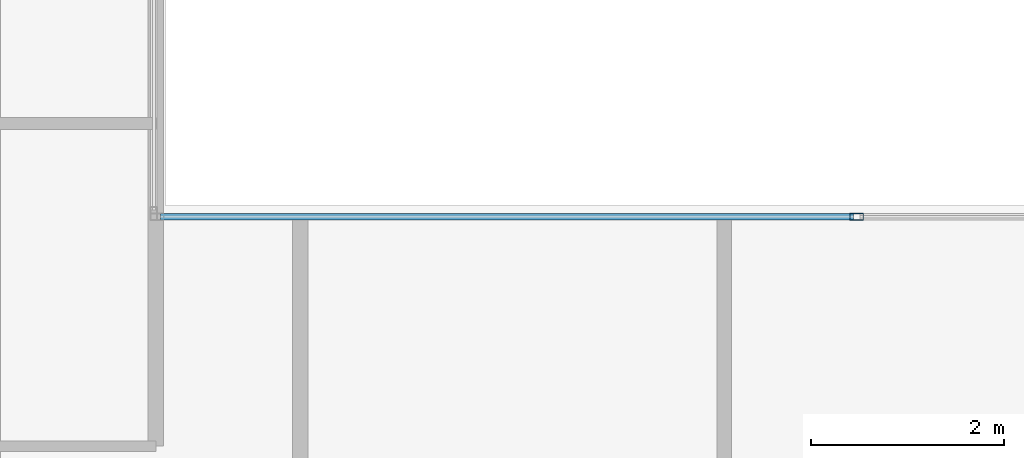
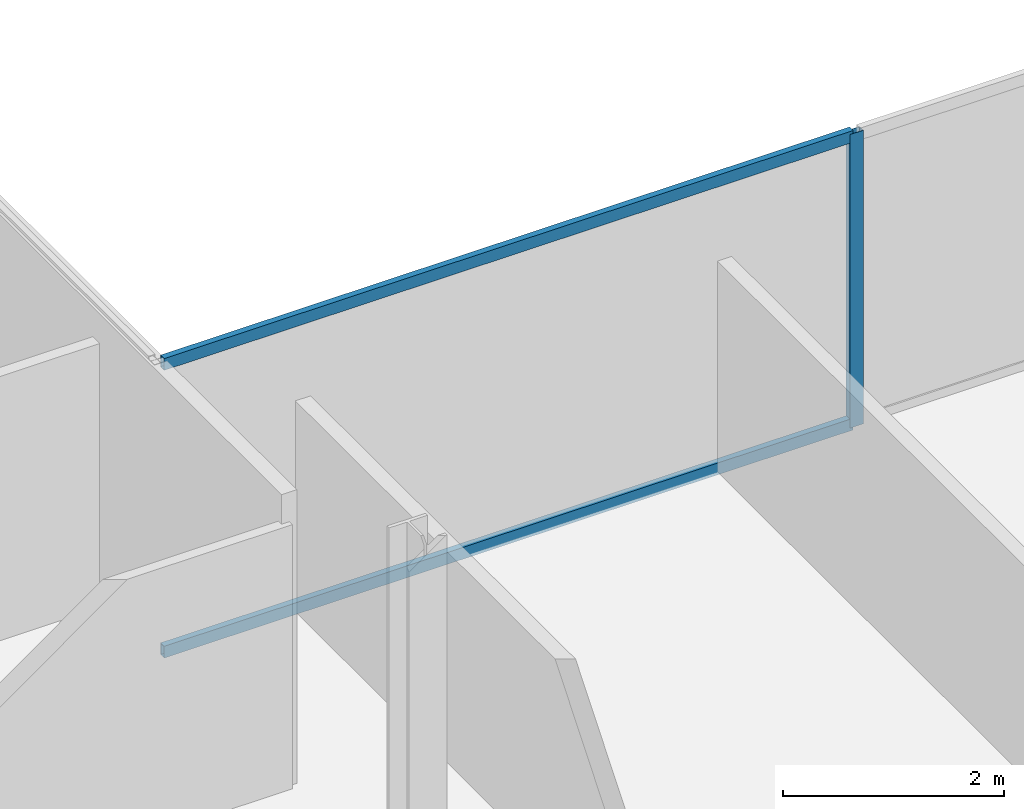
# One storey, part 9 of 24: 3 members, 1 element without a shape of its own.
"""IFC4 building model written with IfcOpenShell, lengths in metres."""

from ifc_helpers import new_model, si_unit, direction, frame, origin, origin_2d, place, context, subcontext, project, spatial, hollow_rectangle, extrude, material, material_profile, profile_set, type_object, element, aggregate, save


model = new_model("IFC4")

# Units and contexts
model_context = context("Model", 3, precision=1e-05, world=origin(), true_north=direction((0.0, 1.0)))
body_context = subcontext(model_context, "Body", "Model", "MODEL_VIEW")
ifc_project = project(units=[si_unit("LENGTHUNIT", "METRE"), si_unit("AREAUNIT", "SQUARE_METRE"), si_unit("VOLUMEUNIT", "CUBIC_METRE"), si_unit("PLANEANGLEUNIT", "RADIAN"), si_unit("MASSUNIT", "GRAM", prefix="KILO")], contexts=[model_context])

# Site, building, storey
site_placement = place(None, origin())
site = spatial("IfcSite", under=ifc_project, at=site_placement, CompositionType="ELEMENT")
building_placement = place(site_placement, origin())
building = spatial("IfcBuilding", under=site, at=building_placement, Name="Cobrela Telecom Tower", CompositionType="ELEMENT")
storey_placement = place(building_placement, frame((0.0, 0.0, 290.14990234375)))
storey = spatial("IfcBuildingStorey", under=building, at=storey_placement, Name="L76", CompositionType="ELEMENT", Elevation=290.14990234375)

# Curtain wall, members
ifc_material = material(Name="Anodized Bronze Aluminium 6063-T6", Category="aluminium")
curtain_wall_type = type_object("IfcCurtainWallType", Name="CW-SYS-OFF-HI", PredefinedType="USERDEFINED", material=ifc_material)
curtain_wall_placement = place(storey_placement, origin())
curtain_wall = element("IfcCurtainWall", 1, at=curtain_wall_placement, inside=storey, type_object=curtain_wall_type, Name="L76 Unitised Bronze Curtain Wall 09", ObjectType="UNITISED CURTAIN WALL", PredefinedType="USERDEFINED")
ifc_material_profile_1 = material_profile(ifc_material, hollow_rectangle(XDim=0.070068359375, YDim=0.139892578125, WallThickness=0.00390625, at=origin_2d()), Name="ALU 70x140x4")
ifc_profile_set_1 = profile_set([ifc_material_profile_1], Name="Anodized Bronze Aluminium 6063-T6")
member_type_1 = type_object("IfcMemberType", Name="CW-SYS-OFF-HI-MUL", PredefinedType="MULLION", material=ifc_profile_set_1)
member_1_placement = place(storey_placement, frame((28.1767578125, 25.080078125, 0.0), z_axis=(0.0, 0.0, 1.0), x_axis=(0.0, 1.0, 0.0)))
member_1 = element("IfcMember", 2, at=member_1_placement, type_object=member_type_1, Name="CW-OFF-HI mullion 2", PredefinedType="MULLION", context=body_context, shape_type="SweptSolid", body=[
    extrude(hollow_rectangle(XDim=0.070068359375, YDim=0.139892578125, WallThickness=0.00390625, at=origin_2d()), origin(), (0.0, 0.0, 1.0), 3.239990234375),
])
ifc_material_profile_2 = material_profile(ifc_material, hollow_rectangle(XDim=0.06494140625, YDim=0.1298828125, WallThickness=0.00390625, at=origin_2d()), Name="ALU 65x130x4")
ifc_profile_set_2 = profile_set([ifc_material_profile_2], Name="Anodized Bronze Aluminium 6063-T6")
member_type_2 = type_object("IfcMemberType", Name="CW-SYS-OFF-HI-TRN", PredefinedType="USERDEFINED", material=ifc_profile_set_2)
member_2_placement = place(storey_placement, frame((20.949951171875, 25.080078125, 0.03271484375), z_axis=(1.0, 0.0, 0.0), x_axis=(0.0, 1.0, 0.0)))
member_2 = element("IfcMember", 3, at=member_2_placement, type_object=member_type_2, Name="CW-OFF-HI transom 1.1", ObjectType="TRANSOM", PredefinedType="USERDEFINED", context=body_context, shape_type="SweptSolid", body=[
    extrude(hollow_rectangle(XDim=0.06494140625, YDim=0.1298828125, WallThickness=0.00390625, at=origin_2d()), origin(), (0.0, 0.0, 1.0), 7.191650390625),
])
member_3_placement = place(storey_placement, frame((20.949951171875, 25.080078125, 3.20751953125), z_axis=(1.0, 0.0, 0.0), x_axis=(0.0, 1.0, 0.0)))
member_3 = element("IfcMember", 4, at=member_3_placement, type_object=member_type_2, Name="CW-OFF-HI transom 1.2", ObjectType="TRANSOM", PredefinedType="USERDEFINED", context=body_context, shape_type="SweptSolid", body=[
    extrude(hollow_rectangle(XDim=0.06494140625, YDim=0.1298828125, WallThickness=0.00390625, at=origin_2d()), origin(), (0.0, 0.0, 1.0), 7.191650390625),
])
aggregate(curtain_wall, [member_1, member_2, member_3])

save(model, "model.ifc")
